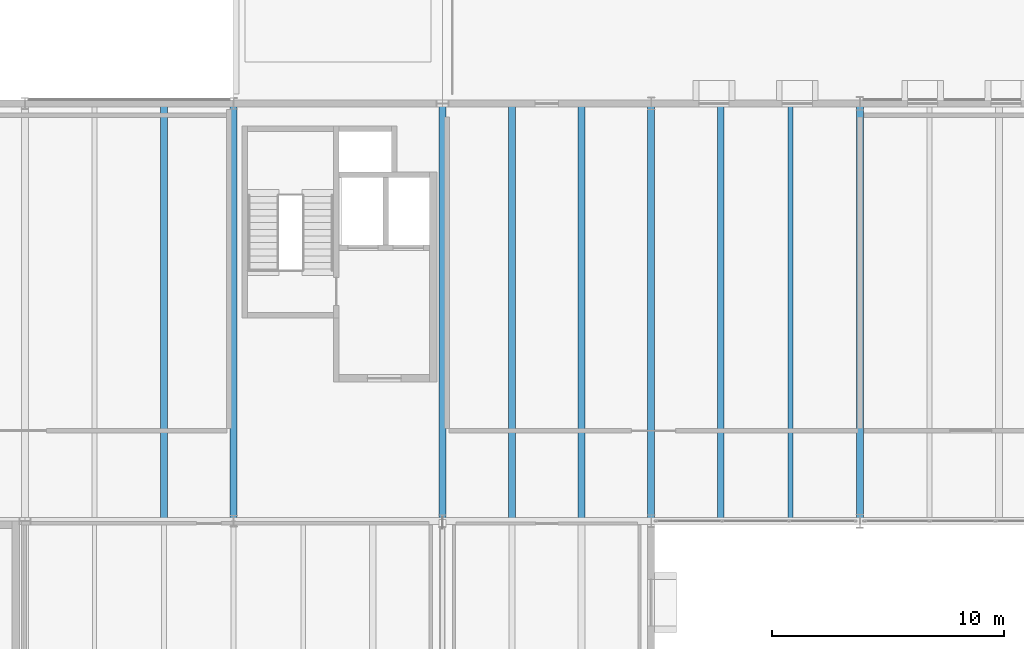
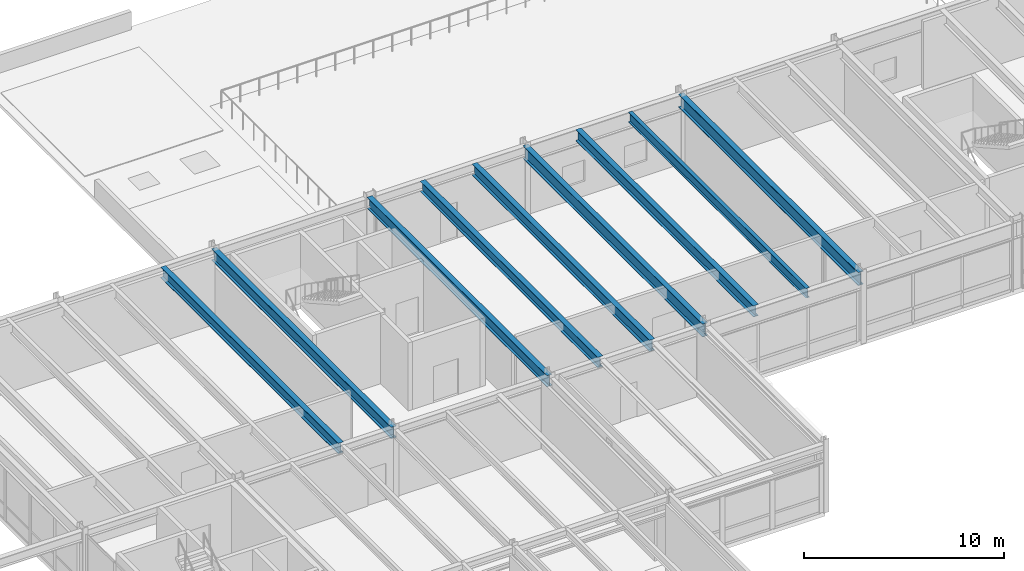
# One storey, part 83 of 115: 9 beams.
"""IFC4 building model written with IfcOpenShell, lengths in metres."""

from ifc_helpers import new_model, si_unit, direction, frame, origin, origin_2d, place, context, subcontext, project, spatial, i_section, extrude, material, material_profile, profile_set, type_object, element, save


model = new_model("IFC4")

# Units and contexts
model_context = context("Model", 3, precision=1e-05, world=origin(), true_north=direction((0.0, 1.0)))
body_context = subcontext(model_context, "Body", "Model", "MODEL_VIEW")
ifc_project = project(units=[si_unit("LENGTHUNIT", "METRE"), si_unit("AREAUNIT", "SQUARE_METRE"), si_unit("VOLUMEUNIT", "CUBIC_METRE"), si_unit("PLANEANGLEUNIT", "RADIAN"), si_unit("MASSUNIT", "GRAM", prefix="KILO")], contexts=[model_context])

# Site, building, storey
site_placement = place(None, origin())
site = spatial("IfcSite", under=ifc_project, at=site_placement, CompositionType="ELEMENT")
building_placement = place(site_placement, origin())
building = spatial("IfcBuilding", under=site, at=building_placement, Name="Montelvaro Courts of Justice", CompositionType="ELEMENT")
storey_placement = place(building_placement, frame((0.0, 0.0, 9.89990234375)))
storey = spatial("IfcBuildingStorey", under=building, at=storey_placement, Name="L02", CompositionType="ELEMENT", Elevation=9.89990234375)

# Beams
ifc_material = material(Name="Steel S355", Category="steel")
ifc_material_profile_1 = material_profile(ifc_material, i_section(OverallWidth=0.300048828125, OverallDepth=0.639892578125, WebThickness=0.013427734375, FlangeThickness=0.02587890625, at=origin_2d()), Name="HEA 650")
ifc_profile_set_1 = profile_set([ifc_material_profile_1], Name="Steel S355")
beam_type_1 = type_object("IfcBeamType", Name="Beam_HEA650", PredefinedType="USERDEFINED", material=ifc_profile_set_1)
beam_1_placement = place(storey_placement, frame((129.0, 78.110107421875, 3.880126953125), z_axis=(0.0, 1.0, 0.0), x_axis=(-1.0, 0.0, 0.0)))
element("IfcBeam", 1, at=beam_1_placement, inside=storey, type_object=beam_type_1, Name="Beam B-22 L02", ObjectType="GIRDER", PredefinedType="USERDEFINED", context=body_context, shape_type="SweptSolid", body=[
    extrude(i_section(OverallWidth=0.300048828125, OverallDepth=0.639892578125, WebThickness=0.013427734375, FlangeThickness=0.02587890625, at=origin_2d()), origin(), (0.0, 0.0, 1.0), 17.77978515625),
])
ifc_material_profile_2 = material_profile(ifc_material, i_section(OverallWidth=0.300048828125, OverallDepth=0.68994140625, WebThickness=0.014404296875, FlangeThickness=0.027099609375, at=origin_2d()), Name="HEA 700")
ifc_profile_set_2 = profile_set([ifc_material_profile_2], Name="Steel S355")
beam_type_2 = type_object("IfcBeamType", Name="Beam_HEA700", PredefinedType="USERDEFINED", material=ifc_profile_set_2)
beam_2_placement = place(storey_placement, frame((126.0, 78.0, 3.85498046875), z_axis=(0.0, 1.0, 0.0), x_axis=(-1.0, 0.0, 0.0)))
element("IfcBeam", 2, at=beam_2_placement, inside=storey, type_object=beam_type_2, Name="Beam B-23 L02", ObjectType="GIRDER", PredefinedType="USERDEFINED", context=body_context, shape_type="SweptSolid", body=[
    extrude(i_section(OverallWidth=0.300048828125, OverallDepth=0.68994140625, WebThickness=0.014404296875, FlangeThickness=0.027099609375, at=origin_2d()), origin(), (0.0, 0.0, 1.0), 18.0),
])
for number, where, z_axis, x_axis, name in (
    (3, (132.0, 78.110107421875, 3.85498046875), (0.0, 1.0, 0.0), (-1.0, 0.0, 0.0), "Beam B-23 L02"),
    (4, (138.0, 78.110107421875, 3.85498046875), (0.0, 1.0, 0.0), (-1.0, 0.0, 0.0), "Beam B-23 L02"),
):
    element("IfcBeam", number, at=place(storey_placement, frame(where, z_axis=z_axis, x_axis=x_axis)), inside=storey, type_object=beam_type_2, Name=name, ObjectType="GIRDER", PredefinedType="USERDEFINED", context=body_context, shape_type="SweptSolid", body=[
        extrude(i_section(OverallWidth=0.300048828125, OverallDepth=0.68994140625, WebThickness=0.014404296875, FlangeThickness=0.027099609375, at=origin_2d()), origin(), (0.0, 0.0, 1.0), 17.77978515625),
    ])
ifc_material_profile_3 = material_profile(ifc_material, i_section(OverallWidth=0.300048828125, OverallDepth=0.7900390625, WebThickness=0.014892578125, FlangeThickness=0.028076171875, at=origin_2d()), Name="HEA 800")
ifc_profile_set_3 = profile_set([ifc_material_profile_3], Name="Steel S355")
beam_type_3 = type_object("IfcBeamType", Name="Beam_HEA800", PredefinedType="USERDEFINED", material=ifc_profile_set_3)
beam_3_placement = place(storey_placement, frame((135.0, 78.0, 3.80517578125), z_axis=(0.0, 1.0, 0.0), x_axis=(-1.0, 0.0, 0.0)))
element("IfcBeam", 5, at=beam_3_placement, inside=storey, type_object=beam_type_3, Name="Beam B-24 L02", ObjectType="GIRDER", PredefinedType="USERDEFINED", context=body_context, shape_type="SweptSolid", body=[
    extrude(i_section(OverallWidth=0.300048828125, OverallDepth=0.7900390625, WebThickness=0.014892578125, FlangeThickness=0.028076171875, at=origin_2d()), origin(), (0.0, 0.0, 1.0), 18.0),
])
ifc_material_profile_4 = material_profile(ifc_material, i_section(OverallWidth=0.300048828125, OverallDepth=0.64990234375, WebThickness=0.01611328125, FlangeThickness=0.031005859375, at=origin_2d()), Name="HEB 650")
ifc_profile_set_4 = profile_set([ifc_material_profile_4], Name="Steel S355")
beam_type_4 = type_object("IfcBeamType", Name="Beam_HEB650", PredefinedType="USERDEFINED", material=ifc_profile_set_4)
beam_4_placement = place(storey_placement, frame((114.0, 78.110107421875, 3.875), z_axis=(0.0, 1.0, 0.0), x_axis=(-1.0, 0.0, 0.0)))
element("IfcBeam", 6, at=beam_4_placement, inside=storey, type_object=beam_type_4, Name="Beam B-27 L02", ObjectType="GIRDER", PredefinedType="USERDEFINED", context=body_context, shape_type="SweptSolid", body=[
    extrude(i_section(OverallWidth=0.300048828125, OverallDepth=0.64990234375, WebThickness=0.01611328125, FlangeThickness=0.031005859375, at=origin_2d()), origin(), (0.0, 0.0, 1.0), 17.77978515625),
])
ifc_material_profile_5 = material_profile(ifc_material, i_section(OverallWidth=0.300048828125, OverallDepth=0.699951171875, WebThickness=0.01708984375, FlangeThickness=0.031982421875, at=origin_2d()), Name="HEB 700")
ifc_profile_set_5 = profile_set([ifc_material_profile_5], Name="Steel S355")
beam_type_5 = type_object("IfcBeamType", Name="Beam_HEB700", PredefinedType="USERDEFINED", material=ifc_profile_set_5)
beam_5_placement = place(storey_placement, frame((117.0, 78.0, 3.85009765625), z_axis=(0.0, 1.0, 0.0), x_axis=(-1.0, 0.0, 0.0)))
element("IfcBeam", 7, at=beam_5_placement, inside=storey, type_object=beam_type_5, Name="Beam B-28 L02", ObjectType="GIRDER", PredefinedType="USERDEFINED", context=body_context, shape_type="SweptSolid", body=[
    extrude(i_section(OverallWidth=0.300048828125, OverallDepth=0.699951171875, WebThickness=0.01708984375, FlangeThickness=0.031982421875, at=origin_2d()), origin(), (0.0, 0.0, 1.0), 18.0),
])
ifc_material_profile_6 = material_profile(ifc_material, i_section(OverallWidth=0.300048828125, OverallDepth=0.800048828125, WebThickness=0.017578125, FlangeThickness=0.032958984375, at=origin_2d()), Name="HEB 800")
ifc_profile_set_6 = profile_set([ifc_material_profile_6], Name="Steel S355")
beam_type_6 = type_object("IfcBeamType", Name="Beam_HEB800", PredefinedType="USERDEFINED", material=ifc_profile_set_6)
beam_6_placement = place(storey_placement, frame((144.0, 78.0, 3.800048828125), z_axis=(0.0, 1.0, 0.0), x_axis=(-1.0, 0.0, 0.0)))
element("IfcBeam", 8, at=beam_6_placement, inside=storey, type_object=beam_type_6, Name="Beam B-29 L02", ObjectType="GIRDER", PredefinedType="USERDEFINED", context=body_context, shape_type="SweptSolid", body=[
    extrude(i_section(OverallWidth=0.300048828125, OverallDepth=0.800048828125, WebThickness=0.017578125, FlangeThickness=0.032958984375, at=origin_2d()), origin(), (0.0, 0.0, 1.0), 18.0),
])
ifc_material_profile_7 = material_profile(ifc_material, i_section(OverallWidth=0.219970703125, OverallDepth=0.60009765625, WebThickness=0.011962890625, FlangeThickness=0.01904296875, at=origin_2d()), Name="IPE 600")
ifc_profile_set_7 = profile_set([ifc_material_profile_7], Name="Steel S355")
beam_type_7 = type_object("IfcBeamType", Name="Beam_IPE600", PredefinedType="USERDEFINED", material=ifc_profile_set_7)
beam_7_placement = place(storey_placement, frame((141.0, 78.110107421875, 3.900146484375), z_axis=(0.0, 1.0, 0.0), x_axis=(-1.0, 0.0, 0.0)))
element("IfcBeam", 9, at=beam_7_placement, inside=storey, type_object=beam_type_7, Name="Beam B-12 L02", ObjectType="GIRDER", PredefinedType="USERDEFINED", context=body_context, shape_type="SweptSolid", body=[
    extrude(i_section(OverallWidth=0.219970703125, OverallDepth=0.60009765625, WebThickness=0.011962890625, FlangeThickness=0.01904296875, at=origin_2d()), origin(), (0.0, 0.0, 1.0), 17.77978515625),
])

save(model, "model.ifc")
